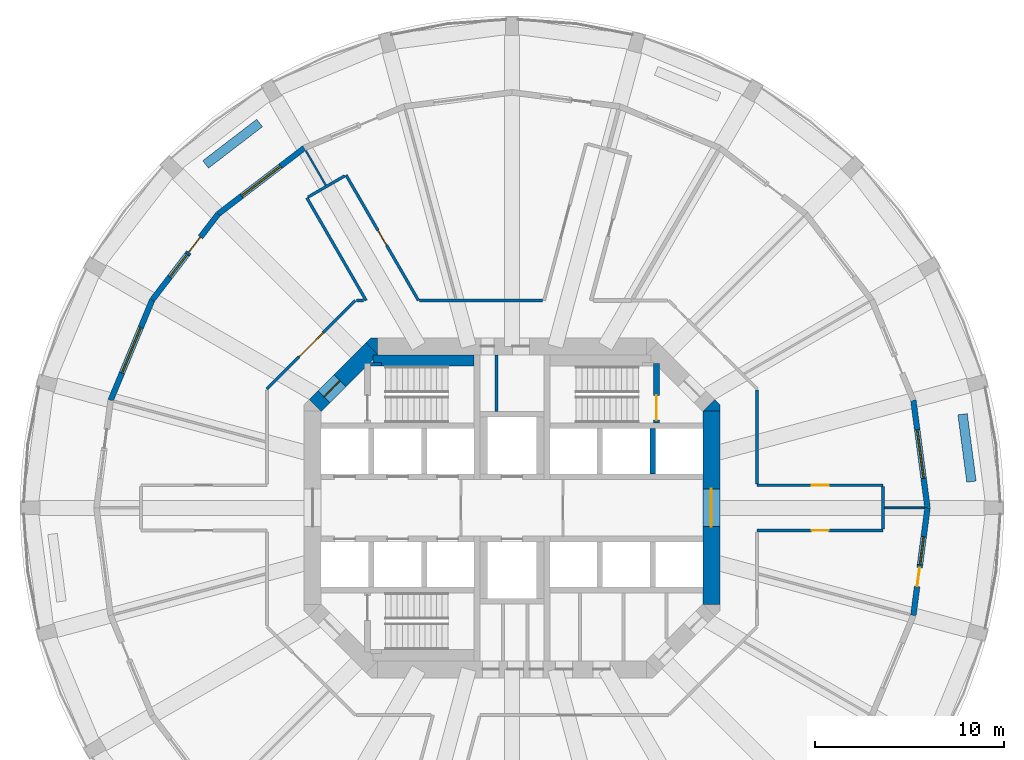
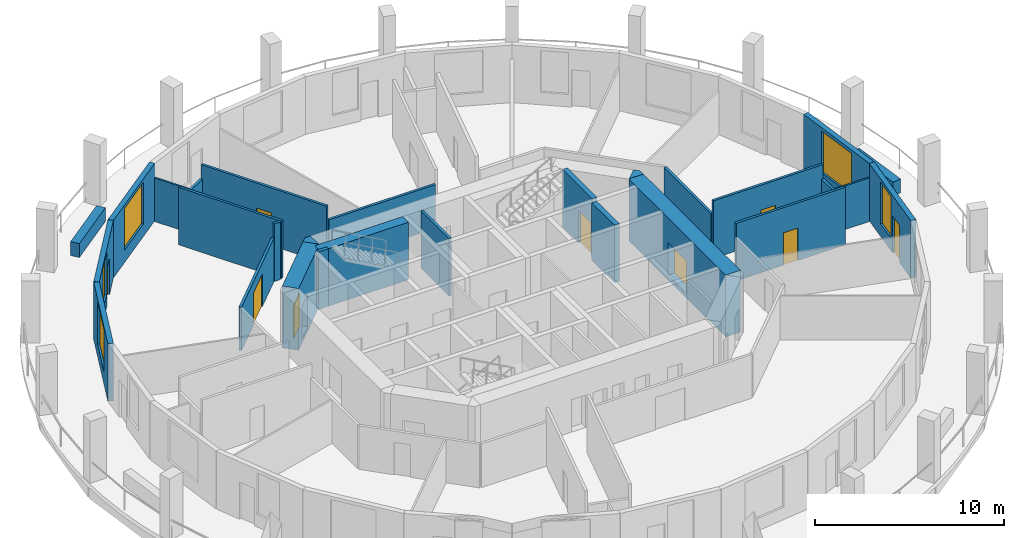
# One storey, part 5 of 9: 28 walls, 9 doors, 5 windows, 14 openings.
"""IFC4 building model written with IfcOpenShell, lengths in metres."""

from ifc_helpers import new_model, si_unit, direction, frame, frame_2d, origin, place, context, subcontext, project, spatial, polyline, rectangle, outline, extrude, material, layer, layer_set, type_object, element, fill, save


model = new_model("IFC4")

# Units and contexts
model_context = context("Model", 3, precision=1e-05, world=origin(), true_north=direction((0.0, 1.0)))
body_context = subcontext(model_context, "Body", "Model", "MODEL_VIEW")
ifc_project = project(units=[si_unit("LENGTHUNIT", "METRE"), si_unit("AREAUNIT", "SQUARE_METRE"), si_unit("VOLUMEUNIT", "CUBIC_METRE"), si_unit("PLANEANGLEUNIT", "RADIAN"), si_unit("MASSUNIT", "GRAM", prefix="KILO")], contexts=[model_context])

# Site, building, storey
site_placement = place(None, origin())
site = spatial("IfcSite", under=ifc_project, at=site_placement, CompositionType="ELEMENT")
building_placement = place(site_placement, origin())
building = spatial("IfcBuilding", under=site, at=building_placement, Name="Torre Triforio", CompositionType="ELEMENT")
storey_placement = place(building_placement, frame((0.0, 0.0, 102.60009765625)))
storey = spatial("IfcBuildingStorey", under=building, at=storey_placement, Name="L22", CompositionType="ELEMENT", Elevation=102.60009765625)

# Wall, opening, door
ifc_material_1 = material(Name="Concrete C60", Category="concrete")
ifc_layer_1 = layer(ifc_material_1, 0.89990234375)
ifc_layer_set_1 = layer_set([ifc_layer_1], Name="Concrete C60")
wall_type_1 = type_object("IfcWallType", Name="Core wall 900 mm C60 EI 120", PredefinedType="SHEAR", material=ifc_layer_set_1)
wall_1_placement = place(storey_placement, frame((10.550048828125, -5.1298828125, -0.280029296875), z_axis=(0.0, 0.0, 1.0), x_axis=(0.0, 1.0, 0.0)))
wall_1 = element("IfcWall", 1, at=wall_1_placement, inside=storey, type_object=wall_type_1, Name="Core wall", PredefinedType="SHEAR", context=body_context, shape_type="SweptSolid", body=[
    extrude(rectangle(XDim=10.259765625, YDim=0.89990234375, at=frame_2d((5.1298828125, 0.0))), origin(), (0.0, 0.0, 1.0), 4.0),
])
opening_1_placement = place(wall_1_placement, frame((4.1298828125, 0.0, 0.280029296875)))
opening_1 = element("IfcOpeningElement", 2, at=opening_1_placement, cuts=wall_1, Name="Opening E-RING", PredefinedType="OPENING", context=body_context, shape_type="SweptSolid", body=[
    extrude(rectangle(XDim=2.0, YDim=2.10009765625, at=frame_2d((1.0, 1.050048828125))), frame((0.0, 0.4599609375, 0.0), z_axis=(0.0, -1.0, 0.0), x_axis=(1.0, 0.0, 0.0)), (0.0, 0.0, 1.0), 0.919921875),
])
ifc_material_2 = material(Name="Hollow metal fire door leaf")
door_type_1 = type_object("IfcDoorType", Name="Lobby door 2000 x 2100 EI 60", OperationType="DOUBLE_DOOR_SINGLE_SWING", PredefinedType="DOOR", material=ifc_material_2)
door_1_placement = place(opening_1_placement, origin())
door_1 = element("IfcDoor", 3, at=door_1_placement, inside=storey, type_object=door_type_1, Name="Core door E-RING", OperationType="DOUBLE_DOOR_SINGLE_SWING", OverallHeight=2.10009765625, OverallWidth=2.0, PredefinedType="DOOR", context=body_context, shape_type="SweptSolid", body=[
    extrude(rectangle(XDim=2.0, YDim=2.10009765625, at=frame_2d((1.0, 1.050048828125))), frame((0.0, 0.02490234375, 0.0), z_axis=(0.0, -1.0, 0.0), x_axis=(1.0, 0.0, 0.0)), (0.0, 0.0, 1.0), 0.050048828125),
])
fill(opening_1, door_1)

wall_2_placement = place(storey_placement, frame((-10.418212890625, 5.418212890625, -0.280029296875), z_axis=(0.0, 0.0, 1.0), x_axis=(0.707106781187, 0.707106781187, 0.0)))
wall_2 = element("IfcWall", 4, at=wall_2_placement, inside=storey, type_object=wall_type_1, Name="Core wall", PredefinedType="SHEAR", context=body_context, shape_type="SweptSolid", body=[
    extrude(rectangle(XDim=4.24267578125, YDim=0.89990234375, at=frame_2d((2.121337890625, 0.0))), origin(), (0.0, 0.0, 1.0), 4.0),
])
opening_2_placement = place(wall_2_placement, frame((0.64990234375, 0.0, 0.280029296875)))
opening_2 = element("IfcOpeningElement", 5, at=opening_2_placement, cuts=wall_2, Name="Opening ST1-EXIT", PredefinedType="OPENING", context=body_context, shape_type="SweptSolid", body=[
    extrude(rectangle(XDim=1.199951171875, YDim=2.10009765625, at=frame_2d((0.60009765625, 1.050048828125))), frame((0.0, 0.4599609375, 0.0), z_axis=(0.0, -1.0, 0.0), x_axis=(1.0, 0.0, 0.0)), (0.0, 0.0, 1.0), 0.919921875),
])
door_type_2 = type_object("IfcDoorType", Name="Stair lobby door 1200 x 2100 EI 60", OperationType="NOTDEFINED", PredefinedType="DOOR", material=ifc_material_2)
door_2_placement = place(opening_2_placement, origin())
door_2 = element("IfcDoor", 6, at=door_2_placement, inside=storey, type_object=door_type_2, Name="Core door ST1-EXIT", OperationType="SINGLE_SWING_RIGHT", OverallHeight=2.10009765625, OverallWidth=1.199951171875, PredefinedType="DOOR", context=body_context, shape_type="SweptSolid", body=[
    extrude(rectangle(XDim=1.199951171875, YDim=2.10009765625, at=frame_2d((0.60009765625, 1.050048828125))), frame((0.0, 0.02490234375, 0.0), z_axis=(0.0, -1.0, 0.0), x_axis=(1.0, 0.0, 0.0)), (0.0, 0.0, 1.0), 0.050048828125),
])
fill(opening_2, door_2)

# Walls
wall_3_placement = place(storey_placement, frame((0.0, 0.0, -0.280029296875)))
element("IfcWall", 7, at=wall_3_placement, inside=storey, type_object=wall_type_1, Name="Core wall", PredefinedType="SHEAR", context=body_context, shape_type="SweptSolid", body=[
    extrude(outline(polyline([(11.0, 5.472900390625), (11.0, 5.1298828125), (10.1298828125, 5.1298828125), (10.736328125, 5.736328125), (11.0, 5.472900390625)])), origin(), (0.0, 0.0, 1.0), 4.0),
])
wall_4_placement = place(storey_placement, frame((0.0, 0.0, -0.280029296875)))
element("IfcWall", 8, at=wall_4_placement, inside=storey, type_object=wall_type_1, Name="Core wall", PredefinedType="SHEAR", context=body_context, shape_type="SweptSolid", body=[
    extrude(outline(polyline([(-7.472900390625, 9.0), (-7.1298828125, 9.0), (-7.1298828125, 8.1298828125), (-7.736328125, 8.736328125), (-7.472900390625, 9.0)])), origin(), (0.0, 0.0, 1.0), 4.0),
])

# Wall, opening, door
ifc_material_3 = material(Name="Plasterboard on metal studs")
ifc_layer_2 = layer(ifc_material_3, 0.14990234375)
ifc_layer_set_2 = layer_set([ifc_layer_2], Name="Plasterboard on metal studs")
wall_type_2 = type_object("IfcWallType", Name="Corridor and tenancy wall 150 mm EI 60", PredefinedType="PARTITIONING", material=ifc_layer_set_2)
wall_5_placement = place(storey_placement, frame((-12.97509765625, 6.291015625, 0.0), z_axis=(0.0, 0.0, 1.0), x_axis=(0.707106781187, 0.707106781187, 0.0)))
wall_5 = element("IfcWall", 9, at=wall_5_placement, inside=storey, type_object=wall_type_2, Name="Partition 7", PredefinedType="PARTITIONING", context=body_context, shape_type="SweptSolid", body=[
    extrude(rectangle(XDim=6.624267578125, YDim=0.14990234375, at=frame_2d((3.31201171875, 0.0))), origin(), (0.0, 0.0, 1.0), 2.81982421875),
])
opening_3_placement = place(wall_5_placement, frame((2.412109375, 0.0, 0.0)))
opening_3 = element("IfcOpeningElement", 10, at=opening_3_placement, cuts=wall_5, Name="Opening N7-01", PredefinedType="OPENING", context=body_context, shape_type="SweptSolid", body=[
    extrude(rectangle(XDim=1.800048828125, YDim=2.10009765625, at=frame_2d((0.89990234375, 1.050048828125))), frame((0.0, 0.0849609375, 0.0), z_axis=(0.0, -1.0, 0.0), x_axis=(1.0, 0.0, 0.0)), (0.0, 0.0, 1.0), 0.169921875),
])
ifc_material_4 = material(Name="Timber", Category="wood")
door_type_3 = type_object("IfcDoorType", Name="Door 1800 x 2100 double leaf EI 30", OperationType="DOUBLE_DOOR_SINGLE_SWING", PredefinedType="DOOR", material=ifc_material_4)
door_3_placement = place(opening_3_placement, origin())
door_3 = element("IfcDoor", 11, at=door_3_placement, inside=storey, type_object=door_type_3, Name="Door N7-01", OperationType="DOUBLE_DOOR_SINGLE_SWING", OverallHeight=2.10009765625, OverallWidth=1.800048828125, PredefinedType="DOOR", context=body_context, shape_type="SweptSolid", body=[
    extrude(rectangle(XDim=1.800048828125, YDim=2.10009765625, at=frame_2d((0.89990234375, 1.050048828125))), frame((0.0, 0.02490234375, 0.0), z_axis=(0.0, -1.0, 0.0), x_axis=(1.0, 0.0, 0.0)), (0.0, 0.0, 1.0), 0.050048828125),
])
fill(opening_3, door_3)

# Walls
wall_6_placement = place(storey_placement, frame((-8.23828125, 10.97509765625, 0.0), z_axis=(0.0, 0.0, 1.0), x_axis=(1.0, 0.0, 0.0)))
element("IfcWall", 12, at=wall_6_placement, inside=storey, type_object=wall_type_2, Name="Partition 8", PredefinedType="PARTITIONING", context=body_context, shape_type="SweptSolid", body=[
    extrude(rectangle(XDim=0.38623046875, YDim=0.14990234375, at=frame_2d((0.193115234375, 0.0))), origin(), (0.0, 0.0, 1.0), 3.719970703125),
])
wall_7_placement = place(storey_placement, frame((-7.72216796875, 10.97509765625, 0.0), z_axis=(0.0, 0.0, 1.0), x_axis=(-0.499988183684, 0.86603222583, 0.0)))
element("IfcWall", 13, at=wall_7_placement, inside=storey, type_object=wall_type_2, Name="Partition 9", PredefinedType="PARTITIONING", context=body_context, shape_type="SweptSolid", body=[
    extrude(rectangle(XDim=6.282958984375, YDim=0.14990234375, at=frame_2d((3.1416015625, 0.0))), origin(), (0.0, 0.0, 1.0), 3.719970703125),
])
wall_8_placement = place(storey_placement, frame((-10.798583984375, 16.453857421875, 0.0), z_axis=(0.0, 0.0, 1.0), x_axis=(0.866017533419, 0.500013631625, 0.0)))
element("IfcWall", 14, at=wall_8_placement, inside=storey, type_object=wall_type_2, Name="Partition 10", PredefinedType="PARTITIONING", context=body_context, shape_type="SweptSolid", body=[
    extrude(rectangle(XDim=2.25, YDim=0.14990234375, at=frame_2d((1.125, 0.0))), origin(), (0.0, 0.0, 1.0), 2.81982421875),
])

# Wall, opening, door
wall_9_placement = place(storey_placement, frame((-8.78515625, 17.6162109375, 0.0), z_axis=(0.0, 0.0, 1.0), x_axis=(0.500021918639, -0.866012748683, 0.0)))
wall_9 = element("IfcWall", 15, at=wall_9_placement, inside=storey, type_object=wall_type_2, Name="Partition 11", PredefinedType="PARTITIONING", context=body_context, shape_type="SweptSolid", body=[
    extrude(rectangle(XDim=7.668701171875, YDim=0.14990234375, at=frame_2d((3.83447265625, 0.0))), origin(), (0.0, 0.0, 1.0), 3.719970703125),
])
opening_4_placement = place(wall_9_placement, frame((3.38427734375, 0.0, 0.0)))
opening_4 = element("IfcOpeningElement", 16, at=opening_4_placement, cuts=wall_9, Name="Opening N7-14", PredefinedType="OPENING", context=body_context, shape_type="SweptSolid", body=[
    extrude(rectangle(XDim=0.89990234375, YDim=2.10009765625, at=frame_2d((0.449951171875, 1.050048828125))), frame((0.0, 0.0849609375, 0.0), z_axis=(0.0, -1.0, 0.0), x_axis=(1.0, 0.0, 0.0)), (0.0, 0.0, 1.0), 0.169921875),
])
door_type_4 = type_object("IfcDoorType", Name="Door 900 x 2100 single leaf EI 30", OperationType="NOTDEFINED", PredefinedType="DOOR", material=ifc_material_4)
door_4_placement = place(opening_4_placement, origin())
door_4 = element("IfcDoor", 17, at=door_4_placement, inside=storey, type_object=door_type_4, Name="Door N7-14", OperationType="SINGLE_SWING_RIGHT", OverallHeight=2.10009765625, OverallWidth=0.89990234375, PredefinedType="DOOR", context=body_context, shape_type="SweptSolid", body=[
    extrude(rectangle(XDim=0.89990234375, YDim=2.10009765625, at=frame_2d((0.449951171875, 1.050048828125))), frame((0.0, 0.02490234375, 0.0), z_axis=(0.0, -1.0, 0.0), x_axis=(1.0, 0.0, 0.0)), (0.0, 0.0, 1.0), 0.050048828125),
])
fill(opening_4, door_4)

# Walls
wall_10_placement = place(storey_placement, frame((-4.8857421875, 10.97509765625, 0.0), z_axis=(0.0, 0.0, 1.0), x_axis=(1.0, 0.0, 0.0)))
element("IfcWall", 18, at=wall_10_placement, inside=storey, type_object=wall_type_2, Name="Partition 12", PredefinedType="PARTITIONING", context=body_context, shape_type="SweptSolid", body=[
    extrude(rectangle(XDim=6.51171875, YDim=0.14990234375, at=frame_2d((3.255859375, 0.0))), origin(), (0.0, 0.0, 1.0), 2.81982421875),
])
wall_11_placement = place(storey_placement, frame((12.97509765625, 6.23828125, 0.0), z_axis=(0.0, 0.0, 1.0), x_axis=(0.0, -1.0, 0.0)))
element("IfcWall", 19, at=wall_11_placement, inside=storey, type_object=wall_type_2, Name="Partition 20", PredefinedType="PARTITIONING", context=body_context, shape_type="SweptSolid", body=[
    extrude(rectangle(XDim=4.96337890625, YDim=0.14990234375, at=frame_2d((2.481689453125, 0.0))), origin(), (0.0, 0.0, 1.0), 2.81982421875),
])

# Wall, opening, door
wall_12_placement = place(storey_placement, frame((12.97509765625, 1.199951171875, 0.0), z_axis=(0.0, 0.0, 1.0), x_axis=(1.0, 0.0, 0.0)))
wall_12 = element("IfcWall", 20, at=wall_12_placement, inside=storey, type_object=wall_type_2, Name="Partition 21", PredefinedType="PARTITIONING", context=body_context, shape_type="SweptSolid", body=[
    extrude(rectangle(XDim=6.673583984375, YDim=0.14990234375, at=frame_2d((3.3369140625, 0.0))), origin(), (0.0, 0.0, 1.0), 3.719970703125),
])
opening_5_placement = place(wall_12_placement, frame((2.886962890625, 0.0, 0.0)))
opening_5 = element("IfcOpeningElement", 21, at=opening_5_placement, cuts=wall_12, Name="Opening N7-09", PredefinedType="OPENING", context=body_context, shape_type="SweptSolid", body=[
    extrude(rectangle(XDim=0.89990234375, YDim=2.10009765625, at=frame_2d((0.449951171875, 1.050048828125))), frame((0.0, 0.0849609375, 0.0), z_axis=(0.0, -1.0, 0.0), x_axis=(1.0, 0.0, 0.0)), (0.0, 0.0, 1.0), 0.169921875),
])
door_5_placement = place(opening_5_placement, origin())
door_5 = element("IfcDoor", 22, at=door_5_placement, inside=storey, type_object=door_type_4, Name="Door N7-09", OperationType="SINGLE_SWING_RIGHT", OverallHeight=2.10009765625, OverallWidth=0.89990234375, PredefinedType="DOOR", context=body_context, shape_type="SweptSolid", body=[
    extrude(rectangle(XDim=0.89990234375, YDim=2.10009765625, at=frame_2d((0.449951171875, 1.050048828125))), frame((0.0, 0.02490234375, 0.0), z_axis=(0.0, -1.0, 0.0), x_axis=(1.0, 0.0, 0.0)), (0.0, 0.0, 1.0), 0.050048828125),
])
fill(opening_5, door_5)

# Wall
wall_13_placement = place(storey_placement, frame((19.648681640625, 1.125, 0.0), z_axis=(0.0, 0.0, 1.0), x_axis=(0.0, -1.0, 0.0)))
element("IfcWall", 23, at=wall_13_placement, inside=storey, type_object=wall_type_2, Name="Partition 22", PredefinedType="PARTITIONING", context=body_context, shape_type="SweptSolid", body=[
    extrude(rectangle(XDim=2.25, YDim=0.14990234375, at=frame_2d((1.125, 0.0))), origin(), (0.0, 0.0, 1.0), 2.81982421875),
])

# Wall, opening, door
wall_14_placement = place(storey_placement, frame((19.648681640625, -1.199951171875, 0.0), z_axis=(0.0, 0.0, 1.0), x_axis=(-1.0, 0.0, 0.0)))
wall_14 = element("IfcWall", 24, at=wall_14_placement, inside=storey, type_object=wall_type_2, Name="Partition 23", PredefinedType="PARTITIONING", context=body_context, shape_type="SweptSolid", body=[
    extrude(rectangle(XDim=6.673583984375, YDim=0.14990234375, at=frame_2d((3.3369140625, 0.0))), origin(), (0.0, 0.0, 1.0), 3.719970703125),
])
opening_6_placement = place(wall_14_placement, frame((2.886962890625, 0.0, 0.0)))
opening_6 = element("IfcOpeningElement", 25, at=opening_6_placement, cuts=wall_14, Name="Opening N7-08", PredefinedType="OPENING", context=body_context, shape_type="SweptSolid", body=[
    extrude(rectangle(XDim=0.89990234375, YDim=2.10009765625, at=frame_2d((0.449951171875, 1.050048828125))), frame((0.0, 0.0849609375, 0.0), z_axis=(0.0, -1.0, 0.0), x_axis=(1.0, 0.0, 0.0)), (0.0, 0.0, 1.0), 0.169921875),
])
door_6_placement = place(opening_6_placement, origin())
door_6 = element("IfcDoor", 26, at=door_6_placement, inside=storey, type_object=door_type_4, Name="Door N7-08", OperationType="SINGLE_SWING_RIGHT", OverallHeight=2.10009765625, OverallWidth=0.89990234375, PredefinedType="DOOR", context=body_context, shape_type="SweptSolid", body=[
    extrude(rectangle(XDim=0.89990234375, YDim=2.10009765625, at=frame_2d((0.449951171875, 1.050048828125))), frame((0.0, 0.02490234375, 0.0), z_axis=(0.0, -1.0, 0.0), x_axis=(1.0, 0.0, 0.0)), (0.0, 0.0, 1.0), 0.050048828125),
])
fill(opening_6, door_6)

# Walls
ifc_layer_3 = layer(ifc_material_3, 0.10009765625)
ifc_layer_set_3 = layer_set([ifc_layer_3], Name="Plasterboard on metal studs")
wall_type_3 = type_object("IfcWallType", Name="Partition 100 mm board on metal studs", PredefinedType="PARTITIONING", material=ifc_layer_set_3)
for number, where, z_axis, x_axis, name in (
    (27, (19.7236328125, 0.0, 0.0), (0.0, 0.0, 1.0), (1.0, 0.0, 0.0), "Partition 31"),
    (28, (-9.86181640625, 17.081298828125, 0.0), (0.0, 0.0, 1.0), (-0.500065834316, 0.865987390988, 0.0), "Partition 37"),
):
    element("IfcWall", number, at=place(storey_placement, frame(where, z_axis=z_axis, x_axis=x_axis)), inside=storey, type_object=wall_type_3, Name=name, PredefinedType="PARTITIONING", context=body_context, shape_type="SweptSolid", body=[
        extrude(rectangle(XDim=2.113037109375, YDim=0.10009765625, at=frame_2d((1.056640625, 0.0))), origin(), (0.0, 0.0, 1.0), 2.81982421875),
    ])
ifc_material_5 = material(Name="Block and board partition")
ifc_layer_4 = layer(ifc_material_5, 0.14990234375)
ifc_layer_set_4 = layer_set([ifc_layer_4], Name="Block and board partition")
wall_type_4 = type_object("IfcWallType", Name="Partition 150 mm EI 120", PredefinedType="PARTITIONING", material=ifc_layer_set_4)
wall_15_placement = place(storey_placement, frame((-0.824951171875, 5.10009765625, 0.0), z_axis=(0.0, 0.0, 1.0), x_axis=(0.0, 1.0, 0.0)))
element("IfcWall", 29, at=wall_15_placement, inside=storey, type_object=wall_type_4, Name="Partition", PredefinedType="PARTITIONING", context=body_context, shape_type="SweptSolid", body=[
    extrude(rectangle(XDim=3.0, YDim=0.14990234375, at=frame_2d((1.5, 0.0))), origin(), (0.0, 0.0, 1.0), 3.719970703125),
])
ifc_material_6 = material(Name="Limestone cladding", Category="masonry")
ifc_layer_5 = layer(ifc_material_6, 0.10009765625)
ifc_material_7 = material(Name="Concrete C40", Category="concrete")
ifc_layer_6 = layer(ifc_material_7, 0.39990234375)
ifc_layer_set_5 = layer_set([ifc_layer_5, ifc_layer_6], Name="Limestone cladding / Concrete C40")
wall_type_5 = type_object("IfcWallType", Name="Planter wall 500", PredefinedType="PARAPET", material=ifc_layer_set_5)
for number, where, z_axis, x_axis, name in (
    (30, (24.3271484375, 1.38720703125, 0.0), (0.0, 0.0, 1.0), (-0.130551000099, 0.991441595039, 0.0), "Planter L22 bay 01"),
    (31, (-13.364990234375, 20.374267578125, 0.0), (0.0, 0.0, 1.0), (-0.793326845617, -0.608795955984, 0.0), "Planter L22 bay 09"),
):
    element("IfcWall", number, at=place(storey_placement, frame(where, z_axis=z_axis, x_axis=x_axis)), inside=storey, type_object=wall_type_5, Name=name, PredefinedType="PARAPET", context=body_context, shape_type="SweptSolid", body=[
        extrude(rectangle(XDim=3.599853515625, YDim=0.5, at=frame_2d((1.7998046875, 0.0))), origin(), (0.0, 0.0, 1.0), 0.89990234375),
    ])
ifc_layer_7 = layer(ifc_material_1, 0.300048828125)
ifc_layer_set_6 = layer_set([ifc_layer_7], Name="Concrete C60")
wall_type_6 = type_object("IfcWallType", Name="Shaft wall 300 mm C60 EI 120", PredefinedType="SOLIDWALL", material=ifc_layer_set_6)
wall_16_placement = place(storey_placement, frame((7.449951171875, 1.800048828125, 0.0), z_axis=(0.0, 0.0, 1.0), x_axis=(0.0, 1.0, 0.0)))
element("IfcWall", 32, at=wall_16_placement, inside=storey, type_object=wall_type_6, Name="Shaft wall", PredefinedType="SOLIDWALL", context=body_context, shape_type="SweptSolid", body=[
    extrude(rectangle(XDim=2.39990234375, YDim=0.300048828125, at=frame_2d((1.199951171875, 0.0))), origin(), (0.0, 0.0, 1.0), 3.719970703125),
])
ifc_layer_8 = layer(ifc_material_1, 0.199951171875)
ifc_layer_set_7 = layer_set([ifc_layer_8], Name="Concrete C60")
wall_type_7 = type_object("IfcWallType", Name="Stair wall 200 mm C60 EI 120", PredefinedType="SHEAR", material=ifc_layer_set_7)
wall_17_placement = place(storey_placement, frame((-7.5, 7.60009765625, 0.0), z_axis=(0.0, 0.0, 1.0), x_axis=(1.0, 0.0, 0.0)))
element("IfcWall", 33, at=wall_17_placement, inside=storey, type_object=wall_type_7, Name="Stair wall", PredefinedType="SHEAR", context=body_context, shape_type="SweptSolid", body=[
    extrude(rectangle(XDim=0.60009765625, YDim=0.199951171875, at=frame_2d((0.300048828125, 0.0))), origin(), (0.0, 0.0, 1.0), 3.719970703125),
])

# Wall, opening, door
ifc_layer_9 = layer(ifc_material_1, 0.300048828125)
ifc_layer_set_8 = layer_set([ifc_layer_9], Name="Concrete C60")
wall_type_8 = type_object("IfcWallType", Name="Stair wall 300 mm C60 EI 120", PredefinedType="SHEAR", material=ifc_layer_set_8)
wall_18_placement = place(storey_placement, frame((7.64990234375, 4.5, 0.0), z_axis=(0.0, 0.0, 1.0), x_axis=(0.0, 1.0, 0.0)))
wall_18 = element("IfcWall", 34, at=wall_18_placement, inside=storey, type_object=wall_type_8, Name="Stair wall", PredefinedType="SHEAR", context=body_context, shape_type="SweptSolid", body=[
    extrude(rectangle(XDim=3.139892578125, YDim=0.300048828125, at=frame_2d((1.56982421875, 0.0))), origin(), (0.0, 0.0, 1.0), 3.719970703125),
])
opening_7_placement = place(wall_18_placement, frame((0.139892578125, 0.0, 0.0)))
opening_7 = element("IfcOpeningElement", 35, at=opening_7_placement, cuts=wall_18, Name="Opening ST2-STA", PredefinedType="OPENING", context=body_context, shape_type="SweptSolid", body=[
    extrude(rectangle(XDim=1.320068359375, YDim=2.10009765625, at=frame_2d((0.66015625, 1.050048828125))), frame((0.0, 0.159912109375, 0.0), z_axis=(0.0, -1.0, 0.0), x_axis=(1.0, 0.0, 0.0)), (0.0, 0.0, 1.0), 0.320068359375),
])
door_type_5 = type_object("IfcDoorType", Name="Stair door 1320 x 2100 EI 90", OperationType="DOUBLE_DOOR_SINGLE_SWING", PredefinedType="DOOR", material=ifc_material_2)
door_7_placement = place(opening_7_placement, origin())
door_7 = element("IfcDoor", 36, at=door_7_placement, inside=storey, type_object=door_type_5, Name="Core door ST2-ST", OperationType="DOUBLE_DOOR_SINGLE_SWING", OverallHeight=2.10009765625, OverallWidth=1.320068359375, PredefinedType="DOOR", context=body_context, shape_type="SweptSolid", body=[
    extrude(rectangle(XDim=1.320068359375, YDim=2.10009765625, at=frame_2d((0.66015625, 1.050048828125))), frame((0.0, 0.02490234375, 0.0), z_axis=(0.0, -1.0, 0.0), x_axis=(1.0, 0.0, 0.0)), (0.0, 0.0, 1.0), 0.050048828125),
])
fill(opening_7, door_7)

# Wall
ifc_layer_10 = layer(ifc_material_1, 0.60009765625)
ifc_layer_set_9 = layer_set([ifc_layer_10], Name="Concrete C60")
wall_type_9 = type_object("IfcWallType", Name="Stair wall 600 mm C60 EI 120", PredefinedType="SHEAR", material=ifc_layer_set_9)
wall_19_placement = place(storey_placement, frame((-7.3701171875, 7.800048828125, 0.0), z_axis=(0.0, 0.0, 1.0), x_axis=(1.0, 0.0, 0.0)))
element("IfcWall", 37, at=wall_19_placement, inside=storey, type_object=wall_type_9, Name="Stair wall", PredefinedType="SHEAR", context=body_context, shape_type="SweptSolid", body=[
    extrude(rectangle(XDim=5.3701171875, YDim=0.60009765625, at=frame_2d((2.68505859375, 0.0))), origin(), (0.0, 0.0, 1.0), 3.719970703125),
])

# Wall, opening, window
ifc_layer_11 = layer(ifc_material_6, 0.10009765625)
ifc_layer_12 = layer(ifc_material_7, 0.199951171875)
ifc_layer_set_10 = layer_set([ifc_layer_11, ifc_layer_12], Name="Limestone cladding / Concrete C40")
wall_type_10 = type_object("IfcWallType", Name="Stone-faced composite wall 300", PredefinedType="STANDARD", material=ifc_layer_set_10)
wall_20_placement = place(storey_placement, frame((22.0, 0.0, 0.0), z_axis=(0.0, 0.0, 1.0), x_axis=(-0.130503995834, 0.991447783331, 0.0)))
wall_20 = element("IfcWall", 38, at=wall_20_placement, inside=storey, type_object=wall_type_10, Name="External wall L22 bay 01", PredefinedType="STANDARD", context=body_context, shape_type="SweptSolid", body=[
    extrude(rectangle(XDim=5.7431640625, YDim=0.300048828125, at=frame_2d((2.87158203125, 0.0))), origin(), (0.0, 0.0, 1.0), 3.719970703125),
])
opening_8_placement = place(wall_20_placement, frame((1.571533203125, 0.0, 0.800048828125)))
opening_8 = element("IfcOpeningElement", 39, at=opening_8_placement, cuts=wall_20, Name="Opening N7-W01", PredefinedType="OPENING", context=body_context, shape_type="SweptSolid", body=[
    extrude(rectangle(XDim=2.60009765625, YDim=2.699951171875, at=frame_2d((1.300048828125, 1.35009765625))), frame((0.0, 0.159912109375, 0.0), z_axis=(0.0, -1.0, 0.0), x_axis=(1.0, 0.0, 0.0)), (0.0, 0.0, 1.0), 0.320068359375),
])
ifc_material_8 = material(Name="Aluminium frame with clear double glazing", Category="aluminium")
window_type_1 = type_object("IfcWindowType", Name="Punched window 2600 x 2700", PartitioningType="DOUBLE_PANEL_VERTICAL", PredefinedType="WINDOW", material=ifc_material_8)
window_1_placement = place(opening_8_placement, origin())
window_1 = element("IfcWindow", 40, at=window_1_placement, inside=storey, type_object=window_type_1, Name="Window EWN2 L22 bay 01", OverallHeight=2.699951171875, OverallWidth=2.60009765625, PartitioningType="SINGLE_PANEL", PredefinedType="WINDOW", context=body_context, shape_type="SweptSolid", body=[
    extrude(rectangle(XDim=2.60009765625, YDim=2.699951171875, at=frame_2d((1.300048828125, 1.35009765625))), frame((0.0, 0.030029296875, 0.0), z_axis=(0.0, -1.0, 0.0), x_axis=(1.0, 0.0, 0.0)), (0.0, 0.0, 1.0), 0.06005859375),
])
fill(opening_8, window_1)

wall_21_placement = place(storey_placement, frame((-11.0, 19.052490234375, 0.0), z_axis=(0.0, 0.0, 1.0), x_axis=(-0.793366142647, -0.608744744291, 0.0)))
wall_21 = element("IfcWall", 41, at=wall_21_placement, inside=storey, type_object=wall_type_10, Name="External wall L22 bay 09", PredefinedType="STANDARD", context=body_context, shape_type="SweptSolid", body=[
    extrude(rectangle(XDim=5.7431640625, YDim=0.300048828125, at=frame_2d((2.87158203125, 0.0))), origin(), (0.0, 0.0, 1.0), 3.719970703125),
])
opening_9_placement = place(wall_21_placement, frame((1.571533203125, 0.0, 0.800048828125)))
opening_9 = element("IfcOpeningElement", 42, at=opening_9_placement, cuts=wall_21, Name="Opening N7-W09", PredefinedType="OPENING", context=body_context, shape_type="SweptSolid", body=[
    extrude(rectangle(XDim=2.60009765625, YDim=2.699951171875, at=frame_2d((1.300048828125, 1.35009765625))), frame((0.0, 0.159912109375, 0.0), z_axis=(0.0, -1.0, 0.0), x_axis=(1.0, 0.0, 0.0)), (0.0, 0.0, 1.0), 0.320068359375),
])
window_2_placement = place(opening_9_placement, origin())
window_2 = element("IfcWindow", 43, at=window_2_placement, inside=storey, type_object=window_type_1, Name="Window EWN2 L22 bay 09", OverallHeight=2.699951171875, OverallWidth=2.60009765625, PartitioningType="SINGLE_PANEL", PredefinedType="WINDOW", context=body_context, shape_type="SweptSolid", body=[
    extrude(rectangle(XDim=2.60009765625, YDim=2.699951171875, at=frame_2d((1.300048828125, 1.35009765625))), frame((0.0, 0.030029296875, 0.0), z_axis=(0.0, -1.0, 0.0), x_axis=(1.0, 0.0, 0.0)), (0.0, 0.0, 1.0), 0.06005859375),
])
fill(opening_9, window_2)

# Wall, openings, door, window
wall_22_placement = place(storey_placement, frame((-15.556396484375, 15.556396484375, 0.0), z_axis=(0.0, 0.0, 1.0), x_axis=(-0.608744744291, -0.793366142647, 0.0)))
wall_22 = element("IfcWall", 44, at=wall_22_placement, inside=storey, type_object=wall_type_10, Name="External wall L22 bay 10", PredefinedType="STANDARD", context=body_context, shape_type="SweptSolid", body=[
    extrude(rectangle(XDim=5.7431640625, YDim=0.300048828125, at=frame_2d((2.87158203125, 0.0))), origin(), (0.0, 0.0, 1.0), 3.719970703125),
])
opening_10_placement = place(wall_22_placement, frame((1.546630859375, 0.0, 0.0)))
opening_10 = element("IfcOpeningElement", 45, at=opening_10_placement, cuts=wall_22, Name="Opening N7-D10", PredefinedType="OPENING", context=body_context, shape_type="SweptSolid", body=[
    extrude(rectangle(XDim=1.0, YDim=2.39990234375, at=frame_2d((0.5, 1.199951171875))), frame((0.0, 0.159912109375, 0.0), z_axis=(0.0, -1.0, 0.0), x_axis=(1.0, 0.0, 0.0)), (0.0, 0.0, 1.0), 0.320068359375),
])
opening_11_placement = place(wall_22_placement, frame((2.696533203125, 0.0, 0.800048828125)))
opening_11 = element("IfcOpeningElement", 46, at=opening_11_placement, cuts=wall_22, Name="Opening N7-W10A", PredefinedType="OPENING", context=body_context, shape_type="SweptSolid", body=[
    extrude(rectangle(XDim=1.5, YDim=2.699951171875, at=frame_2d((0.75, 1.35009765625))), frame((0.0, 0.159912109375, 0.0), z_axis=(0.0, -1.0, 0.0), x_axis=(1.0, 0.0, 0.0)), (0.0, 0.0, 1.0), 0.320068359375),
])
door_type_6 = type_object("IfcDoorType", Name="Loggia door 1000 x 2400", OperationType="NOTDEFINED", PredefinedType="DOOR", material=ifc_material_8)
door_8_placement = place(opening_10_placement, origin())
door_8 = element("IfcDoor", 47, at=door_8_placement, inside=storey, type_object=door_type_6, Name="Loggia door L22 bay 10", OperationType="SINGLE_SWING_LEFT", OverallHeight=2.39990234375, OverallWidth=1.0, PredefinedType="DOOR", context=body_context, shape_type="SweptSolid", body=[
    extrude(rectangle(XDim=1.0, YDim=2.39990234375, at=frame_2d((0.5, 1.199951171875))), frame((0.0, 0.02490234375, 0.0), z_axis=(0.0, -1.0, 0.0), x_axis=(1.0, 0.0, 0.0)), (0.0, 0.0, 1.0), 0.050048828125),
])
fill(opening_10, door_8)
window_type_2 = type_object("IfcWindowType", Name="Side window 1500 x 2700", PartitioningType="SINGLE_PANEL", PredefinedType="WINDOW", material=ifc_material_8)
window_3_placement = place(opening_11_placement, origin())
window_3 = element("IfcWindow", 48, at=window_3_placement, inside=storey, type_object=window_type_2, Name="Side window EWN12 L22 bay 10", OverallHeight=2.699951171875, OverallWidth=1.5, PartitioningType="SINGLE_PANEL", PredefinedType="WINDOW", context=body_context, shape_type="SweptSolid", body=[
    extrude(rectangle(XDim=1.5, YDim=2.699951171875, at=frame_2d((0.75, 1.35009765625))), frame((0.0, 0.030029296875, 0.0), z_axis=(0.0, -1.0, 0.0), x_axis=(1.0, 0.0, 0.0)), (0.0, 0.0, 1.0), 0.06005859375),
])
fill(opening_11, window_3)

# Wall, opening, window
wall_23_placement = place(storey_placement, frame((-19.052490234375, 11.0, 0.0), z_axis=(0.0, 0.0, 1.0), x_axis=(-0.382715966503, -0.923866055759, 0.0)))
wall_23 = element("IfcWall", 49, at=wall_23_placement, inside=storey, type_object=wall_type_10, Name="External wall L22 bay 11", PredefinedType="STANDARD", context=body_context, shape_type="SweptSolid", body=[
    extrude(rectangle(XDim=5.7431640625, YDim=0.300048828125, at=frame_2d((2.87158203125, 0.0))), origin(), (0.0, 0.0, 1.0), 3.719970703125),
])
opening_12_placement = place(wall_23_placement, frame((1.571533203125, 0.0, 0.800048828125)))
opening_12 = element("IfcOpeningElement", 50, at=opening_12_placement, cuts=wall_23, Name="Opening N7-W11", PredefinedType="OPENING", context=body_context, shape_type="SweptSolid", body=[
    extrude(rectangle(XDim=2.60009765625, YDim=2.699951171875, at=frame_2d((1.300048828125, 1.35009765625))), frame((0.0, 0.159912109375, 0.0), z_axis=(0.0, -1.0, 0.0), x_axis=(1.0, 0.0, 0.0)), (0.0, 0.0, 1.0), 0.320068359375),
])
window_4_placement = place(opening_12_placement, origin())
window_4 = element("IfcWindow", 51, at=window_4_placement, inside=storey, type_object=window_type_1, Name="Window EWN2 L22 bay 11", OverallHeight=2.699951171875, OverallWidth=2.60009765625, PartitioningType="SINGLE_PANEL", PredefinedType="WINDOW", context=body_context, shape_type="SweptSolid", body=[
    extrude(rectangle(XDim=2.60009765625, YDim=2.699951171875, at=frame_2d((1.300048828125, 1.35009765625))), frame((0.0, 0.030029296875, 0.0), z_axis=(0.0, -1.0, 0.0), x_axis=(1.0, 0.0, 0.0)), (0.0, 0.0, 1.0), 0.06005859375),
])
fill(opening_12, window_4)

# Wall, openings, door, window
wall_24_placement = place(storey_placement, frame((21.25048828125, -5.694091796875, 0.0), z_axis=(0.0, 0.0, 1.0), x_axis=(0.130503995834, 0.991447783331, 0.0)))
wall_24 = element("IfcWall", 52, at=wall_24_placement, inside=storey, type_object=wall_type_10, Name="External wall L22 bay 24", PredefinedType="STANDARD", context=body_context, shape_type="SweptSolid", body=[
    extrude(rectangle(XDim=5.7431640625, YDim=0.300048828125, at=frame_2d((2.87158203125, 0.0))), origin(), (0.0, 0.0, 1.0), 3.719970703125),
])
opening_13_placement = place(wall_24_placement, frame((1.546630859375, 0.0, 0.0)))
opening_13 = element("IfcOpeningElement", 53, at=opening_13_placement, cuts=wall_24, Name="Opening N7-D24", PredefinedType="OPENING", context=body_context, shape_type="SweptSolid", body=[
    extrude(rectangle(XDim=1.0, YDim=2.39990234375, at=frame_2d((0.5, 1.199951171875))), frame((0.0, 0.159912109375, 0.0), z_axis=(0.0, -1.0, 0.0), x_axis=(1.0, 0.0, 0.0)), (0.0, 0.0, 1.0), 0.320068359375),
])
opening_14_placement = place(wall_24_placement, frame((2.696533203125, 0.0, 0.800048828125)))
opening_14 = element("IfcOpeningElement", 54, at=opening_14_placement, cuts=wall_24, Name="Opening N7-W24A", PredefinedType="OPENING", context=body_context, shape_type="SweptSolid", body=[
    extrude(rectangle(XDim=1.5, YDim=2.699951171875, at=frame_2d((0.75, 1.35009765625))), frame((0.0, 0.159912109375, 0.0), z_axis=(0.0, -1.0, 0.0), x_axis=(1.0, 0.0, 0.0)), (0.0, 0.0, 1.0), 0.320068359375),
])
door_9_placement = place(opening_13_placement, origin())
door_9 = element("IfcDoor", 55, at=door_9_placement, inside=storey, type_object=door_type_6, Name="Loggia door L22 bay 24", OperationType="SINGLE_SWING_LEFT", OverallHeight=2.39990234375, OverallWidth=1.0, PredefinedType="DOOR", context=body_context, shape_type="SweptSolid", body=[
    extrude(rectangle(XDim=1.0, YDim=2.39990234375, at=frame_2d((0.5, 1.199951171875))), frame((0.0, 0.02490234375, 0.0), z_axis=(0.0, -1.0, 0.0), x_axis=(1.0, 0.0, 0.0)), (0.0, 0.0, 1.0), 0.050048828125),
])
fill(opening_13, door_9)
window_5_placement = place(opening_14_placement, origin())
window_5 = element("IfcWindow", 56, at=window_5_placement, inside=storey, type_object=window_type_2, Name="Side window EWN12 L22 bay 24", OverallHeight=2.699951171875, OverallWidth=1.5, PartitioningType="SINGLE_PANEL", PredefinedType="WINDOW", context=body_context, shape_type="SweptSolid", body=[
    extrude(rectangle(XDim=1.5, YDim=2.699951171875, at=frame_2d((0.75, 1.35009765625))), frame((0.0, 0.030029296875, 0.0), z_axis=(0.0, -1.0, 0.0), x_axis=(1.0, 0.0, 0.0)), (0.0, 0.0, 1.0), 0.06005859375),
])
fill(opening_14, window_5)

save(model, "model.ifc")
